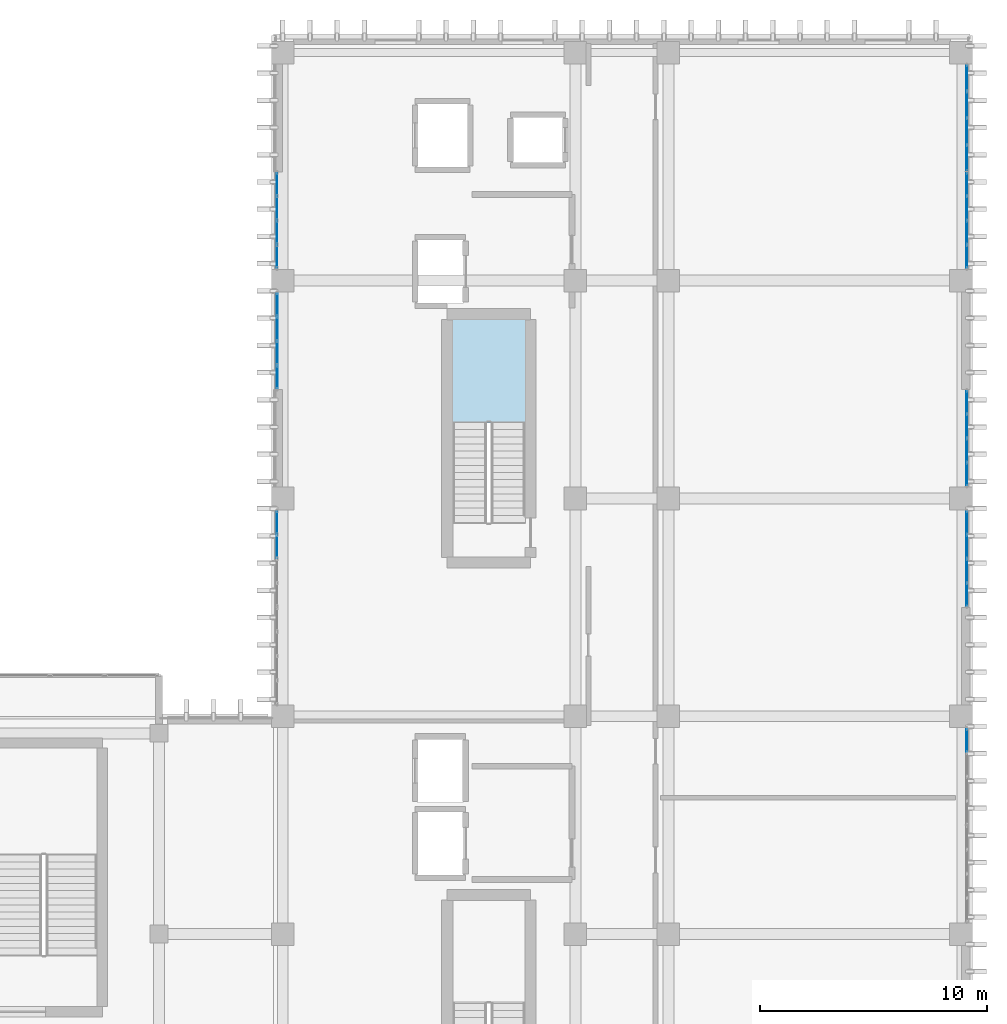
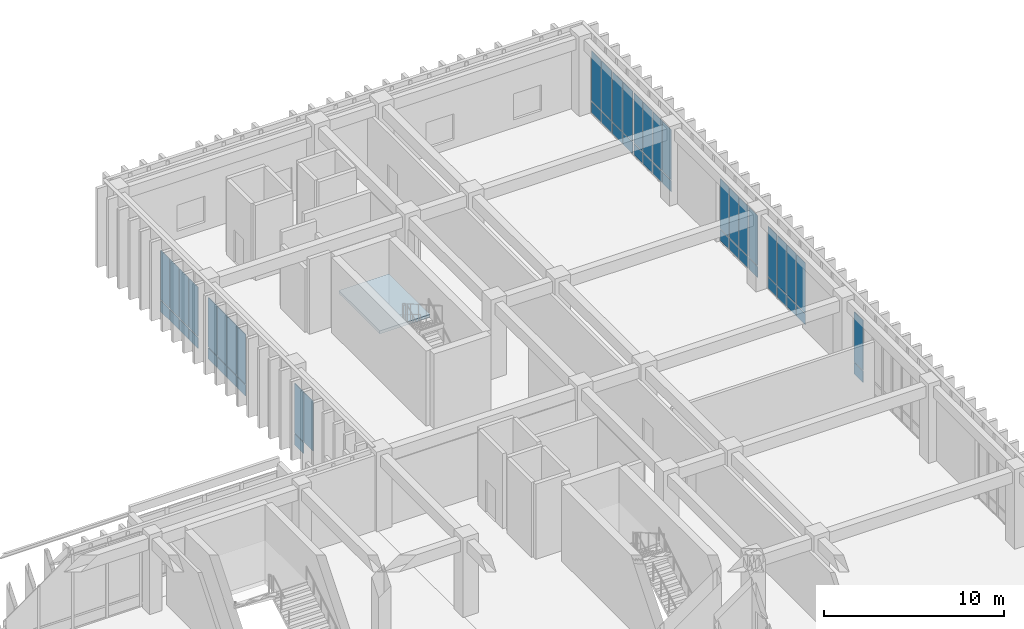
# One storey, part 100 of 134: 53 plates, 1 slab, 9 elements without a shape of their own.
"""IFC4 building model written with IfcOpenShell, lengths in metres."""

from ifc_helpers import new_model, si_unit, direction, frame, origin, origin_2d, place, context, subcontext, project, spatial, polyline, rectangle, outline, extrude, material, layer, layer_set, type_object, element, aggregate, save


model = new_model("IFC4")

# Units and contexts
model_context = context("Model", 3, precision=1e-05, world=origin(), true_north=direction((0.0, 1.0)))
body_context = subcontext(model_context, "Body", "Model", "MODEL_VIEW")
ifc_project = project(units=[si_unit("LENGTHUNIT", "METRE"), si_unit("AREAUNIT", "SQUARE_METRE"), si_unit("VOLUMEUNIT", "CUBIC_METRE"), si_unit("PLANEANGLEUNIT", "RADIAN"), si_unit("MASSUNIT", "GRAM", prefix="KILO")], contexts=[model_context])

# Site, building, storey
site_placement = place(None, origin())
site = spatial("IfcSite", under=ifc_project, at=site_placement, CompositionType="ELEMENT")
building_placement = place(site_placement, origin())
building = spatial("IfcBuilding", under=site, at=building_placement, Name="Nakhvara Creek Congress Hotel", CompositionType="ELEMENT")
storey_placement = place(building_placement, frame((0.0, 0.0, 6.0)))
storey = spatial("IfcBuildingStorey", under=building, at=storey_placement, Name="L01", CompositionType="ELEMENT", Elevation=6.0)

# Curtain wall, plates
ifc_material_1 = material(Name="Bronze-anodised aluminium AW-6063-T6 and double-silver low-E glass", Category="aluminium")
ifc_layer_1 = layer(ifc_material_1, 0.199951171875)
ifc_layer_set_1 = layer_set([ifc_layer_1], Name="Bronze-anodised aluminium AW-6063-T6 and double-silver low-E glass")
curtain_wall_type = type_object("IfcCurtainWallType", Name="CW-HTL-UNIT", PredefinedType="USERDEFINED", material=ifc_layer_set_1)
curtain_wall_1_placement = place(storey_placement, origin())
curtain_wall_1 = element("IfcCurtainWall", 1, at=curtain_wall_1_placement, inside=storey, type_object=curtain_wall_type, Name="Curtain Wall CW119", ObjectType="UNITISED", PredefinedType="USERDEFINED")
ifc_material_2 = material(Name="Double-silver solar-control low-E insulated glass", Category="glass")
plate_type_1 = type_object("IfcPlateType", Name="PNL-GLZ-120X250", PredefinedType="CURTAIN_PANEL", material=ifc_material_2)
plate_1_placement = place(storey_placement, frame((179.60009765625, 94.93310546875, 0.06494140625), z_axis=(0.0, 0.0, 1.0), x_axis=(0.0, -1.0, 0.0)))
plate_1 = element("IfcPlate", 2, at=plate_1_placement, type_object=plate_type_1, Name="CW119 panel 1.1", PredefinedType="CURTAIN_PANEL", context=body_context, shape_type="SweptSolid", body=[
    extrude(rectangle(XDim=0.9736328125, YDim=0.028076171875, at=origin_2d()), origin(), (0.0, 0.0, 1.0), 0.75244140625),
])
plate_2_placement = place(storey_placement, frame((179.60009765625, 94.93310546875, 0.882568359375), z_axis=(0.0, 0.0, 1.0), x_axis=(0.0, -1.0, 0.0)))
plate_2 = element("IfcPlate", 3, at=plate_2_placement, type_object=plate_type_1, Name="CW119 panel 1.2", PredefinedType="CURTAIN_PANEL", context=body_context, shape_type="SweptSolid", body=[
    extrude(rectangle(XDim=0.9736328125, YDim=0.028076171875, at=origin_2d()), origin(), (0.0, 0.0, 1.0), 3.39453125),
])
aggregate(curtain_wall_1, [plate_1, plate_2])

curtain_wall_2_placement = place(storey_placement, origin())
curtain_wall_2 = element("IfcCurtainWall", 4, at=curtain_wall_2_placement, inside=storey, type_object=curtain_wall_type, Name="Curtain Wall CW121", ObjectType="UNITISED", PredefinedType="USERDEFINED")
plate_3_placement = place(storey_placement, frame((179.60009765625, 104.533203125, 0.06494140625), z_axis=(0.0, 0.0, 1.0), x_axis=(0.0, -1.0, 0.0)))
plate_3 = element("IfcPlate", 5, at=plate_3_placement, type_object=plate_type_1, Name="CW121 panel 1.1", PredefinedType="CURTAIN_PANEL", context=body_context, shape_type="SweptSolid", body=[
    extrude(rectangle(XDim=0.9736328125, YDim=0.028076171875, at=origin_2d()), origin(), (0.0, 0.0, 1.0), 0.75244140625),
])
plate_4_placement = place(storey_placement, frame((179.60009765625, 104.533203125, 0.882568359375), z_axis=(0.0, 0.0, 1.0), x_axis=(0.0, -1.0, 0.0)))
plate_4 = element("IfcPlate", 6, at=plate_4_placement, type_object=plate_type_1, Name="CW121 panel 1.2", PredefinedType="CURTAIN_PANEL", context=body_context, shape_type="SweptSolid", body=[
    extrude(rectangle(XDim=0.9736328125, YDim=0.028076171875, at=origin_2d()), origin(), (0.0, 0.0, 1.0), 3.39453125),
])
plate_5_placement = place(storey_placement, frame((179.60009765625, 103.47802734375, 0.06494140625), z_axis=(0.0, 0.0, 1.0), x_axis=(0.0, -1.0, 0.0)))
plate_5 = element("IfcPlate", 7, at=plate_5_placement, type_object=plate_type_1, Name="CW121 panel 2.1", PredefinedType="CURTAIN_PANEL", context=body_context, shape_type="SweptSolid", body=[
    extrude(rectangle(XDim=1.00634765625, YDim=0.028076171875, at=origin_2d()), origin(), (0.0, 0.0, 1.0), 0.75244140625),
])
plate_6_placement = place(storey_placement, frame((179.60009765625, 103.47802734375, 0.882568359375), z_axis=(0.0, 0.0, 1.0), x_axis=(0.0, -1.0, 0.0)))
plate_6 = element("IfcPlate", 8, at=plate_6_placement, type_object=plate_type_1, Name="CW121 panel 2.2", PredefinedType="CURTAIN_PANEL", context=body_context, shape_type="SweptSolid", body=[
    extrude(rectangle(XDim=1.00634765625, YDim=0.028076171875, at=origin_2d()), origin(), (0.0, 0.0, 1.0), 3.39453125),
])
plate_7_placement = place(storey_placement, frame((179.60009765625, 102.406982421875, 0.06494140625), z_axis=(0.0, 0.0, 1.0), x_axis=(0.0, -1.0, 0.0)))
plate_7 = element("IfcPlate", 9, at=plate_7_placement, type_object=plate_type_1, Name="CW121 panel 3.1", PredefinedType="CURTAIN_PANEL", context=body_context, shape_type="SweptSolid", body=[
    extrude(rectangle(XDim=1.00634765625, YDim=0.028076171875, at=origin_2d()), origin(), (0.0, 0.0, 1.0), 0.75244140625),
])
plate_8_placement = place(storey_placement, frame((179.60009765625, 102.406982421875, 0.882568359375), z_axis=(0.0, 0.0, 1.0), x_axis=(0.0, -1.0, 0.0)))
plate_8 = element("IfcPlate", 10, at=plate_8_placement, type_object=plate_type_1, Name="CW121 panel 3.2", PredefinedType="CURTAIN_PANEL", context=body_context, shape_type="SweptSolid", body=[
    extrude(rectangle(XDim=1.00634765625, YDim=0.028076171875, at=origin_2d()), origin(), (0.0, 0.0, 1.0), 3.39453125),
])
plate_9_placement = place(storey_placement, frame((179.60009765625, 101.351806640625, 0.06494140625), z_axis=(0.0, 0.0, 1.0), x_axis=(0.0, -1.0, 0.0)))
plate_9 = element("IfcPlate", 11, at=plate_9_placement, type_object=plate_type_1, Name="CW121 panel 4.1", PredefinedType="CURTAIN_PANEL", context=body_context, shape_type="SweptSolid", body=[
    extrude(rectangle(XDim=0.9736328125, YDim=0.028076171875, at=origin_2d()), origin(), (0.0, 0.0, 1.0), 0.75244140625),
])
plate_10_placement = place(storey_placement, frame((179.60009765625, 101.351806640625, 0.882568359375), z_axis=(0.0, 0.0, 1.0), x_axis=(0.0, -1.0, 0.0)))
plate_10 = element("IfcPlate", 12, at=plate_10_placement, type_object=plate_type_1, Name="CW121 panel 4.2", PredefinedType="CURTAIN_PANEL", context=body_context, shape_type="SweptSolid", body=[
    extrude(rectangle(XDim=0.9736328125, YDim=0.028076171875, at=origin_2d()), origin(), (0.0, 0.0, 1.0), 3.39453125),
])
aggregate(curtain_wall_2, [plate_3, plate_4, plate_5, plate_6, plate_7, plate_8, plate_9, plate_10])

curtain_wall_3_placement = place(storey_placement, origin())
curtain_wall_3 = element("IfcCurtainWall", 13, at=curtain_wall_3_placement, inside=storey, type_object=curtain_wall_type, Name="Curtain Wall CW122", ObjectType="UNITISED", PredefinedType="USERDEFINED")
plate_11_placement = place(storey_placement, frame((149.199951171875, 103.47802734375, 0.88232421875), z_axis=(0.0, 0.0, 1.0), x_axis=(0.0, 1.0, 0.0)))
plate_11 = element("IfcPlate", 14, at=plate_11_placement, type_object=plate_type_1, Name="CW122 panel 3.2", PredefinedType="CURTAIN_PANEL", context=body_context, shape_type="SweptSolid", body=[
    extrude(rectangle(XDim=1.00634765625, YDim=0.028076171875, at=origin_2d()), origin(), (0.0, 0.0, 1.0), 3.364501953125),
])
plate_12_placement = place(storey_placement, frame((149.199951171875, 104.533203125, 0.06494140625), z_axis=(0.0, 0.0, 1.0), x_axis=(0.0, 1.0, 0.0)))
plate_12 = element("IfcPlate", 15, at=plate_12_placement, type_object=plate_type_1, Name="CW122 panel 4.1", PredefinedType="CURTAIN_PANEL", context=body_context, shape_type="SweptSolid", body=[
    extrude(rectangle(XDim=0.9736328125, YDim=0.028076171875, at=origin_2d()), origin(), (0.0, 0.0, 1.0), 0.75244140625),
])
plate_13_placement = place(storey_placement, frame((149.199951171875, 104.533203125, 0.88232421875), z_axis=(0.0, 0.0, 1.0), x_axis=(0.0, 1.0, 0.0)))
plate_13 = element("IfcPlate", 16, at=plate_13_placement, type_object=plate_type_1, Name="CW122 panel 4.2", PredefinedType="CURTAIN_PANEL", context=body_context, shape_type="SweptSolid", body=[
    extrude(rectangle(XDim=0.9736328125, YDim=0.028076171875, at=origin_2d()), origin(), (0.0, 0.0, 1.0), 3.364501953125),
])
aggregate(curtain_wall_3, [plate_11, plate_12, plate_13])

curtain_wall_4_placement = place(storey_placement, origin())
curtain_wall_4 = element("IfcCurtainWall", 17, at=curtain_wall_4_placement, inside=storey, type_object=curtain_wall_type, Name="Curtain Wall CW123", ObjectType="UNITISED", PredefinedType="USERDEFINED")
plate_14_placement = place(storey_placement, frame((179.60009765625, 109.84814453125, 0.06494140625), z_axis=(0.0, 0.0, 1.0), x_axis=(0.0, -1.0, 0.0)))
plate_14 = element("IfcPlate", 18, at=plate_14_placement, type_object=plate_type_1, Name="CW123 panel 1.1", PredefinedType="CURTAIN_PANEL", context=body_context, shape_type="SweptSolid", body=[
    extrude(rectangle(XDim=0.9736328125, YDim=0.028076171875, at=origin_2d()), origin(), (0.0, 0.0, 1.0), 0.75244140625),
])
plate_15_placement = place(storey_placement, frame((179.60009765625, 109.84814453125, 0.882568359375), z_axis=(0.0, 0.0, 1.0), x_axis=(0.0, -1.0, 0.0)))
plate_15 = element("IfcPlate", 19, at=plate_15_placement, type_object=plate_type_1, Name="CW123 panel 1.2", PredefinedType="CURTAIN_PANEL", context=body_context, shape_type="SweptSolid", body=[
    extrude(rectangle(XDim=0.9736328125, YDim=0.028076171875, at=origin_2d()), origin(), (0.0, 0.0, 1.0), 3.39453125),
])
plate_16_placement = place(storey_placement, frame((179.60009765625, 108.793212890625, 0.06494140625), z_axis=(0.0, 0.0, 1.0), x_axis=(0.0, -1.0, 0.0)))
plate_16 = element("IfcPlate", 20, at=plate_16_placement, type_object=plate_type_1, Name="CW123 panel 2.1", PredefinedType="CURTAIN_PANEL", context=body_context, shape_type="SweptSolid", body=[
    extrude(rectangle(XDim=1.00634765625, YDim=0.028076171875, at=origin_2d()), origin(), (0.0, 0.0, 1.0), 0.75244140625),
])
plate_17_placement = place(storey_placement, frame((179.60009765625, 108.793212890625, 0.882568359375), z_axis=(0.0, 0.0, 1.0), x_axis=(0.0, -1.0, 0.0)))
plate_17 = element("IfcPlate", 21, at=plate_17_placement, type_object=plate_type_1, Name="CW123 panel 2.2", PredefinedType="CURTAIN_PANEL", context=body_context, shape_type="SweptSolid", body=[
    extrude(rectangle(XDim=1.00634765625, YDim=0.028076171875, at=origin_2d()), origin(), (0.0, 0.0, 1.0), 3.39453125),
])
plate_18_placement = place(storey_placement, frame((179.60009765625, 107.721923828125, 0.06494140625), z_axis=(0.0, 0.0, 1.0), x_axis=(0.0, -1.0, 0.0)))
plate_18 = element("IfcPlate", 22, at=plate_18_placement, type_object=plate_type_1, Name="CW123 panel 3.1", PredefinedType="CURTAIN_PANEL", context=body_context, shape_type="SweptSolid", body=[
    extrude(rectangle(XDim=1.00634765625, YDim=0.028076171875, at=origin_2d()), origin(), (0.0, 0.0, 1.0), 0.75244140625),
])
plate_19_placement = place(storey_placement, frame((179.60009765625, 107.721923828125, 0.882568359375), z_axis=(0.0, 0.0, 1.0), x_axis=(0.0, -1.0, 0.0)))
plate_19 = element("IfcPlate", 23, at=plate_19_placement, type_object=plate_type_1, Name="CW123 panel 3.2", PredefinedType="CURTAIN_PANEL", context=body_context, shape_type="SweptSolid", body=[
    extrude(rectangle(XDim=1.00634765625, YDim=0.028076171875, at=origin_2d()), origin(), (0.0, 0.0, 1.0), 3.39453125),
])
plate_20_placement = place(storey_placement, frame((179.60009765625, 106.6669921875, 0.06494140625), z_axis=(0.0, 0.0, 1.0), x_axis=(0.0, -1.0, 0.0)))
plate_20 = element("IfcPlate", 24, at=plate_20_placement, type_object=plate_type_1, Name="CW123 panel 4.1", PredefinedType="CURTAIN_PANEL", context=body_context, shape_type="SweptSolid", body=[
    extrude(rectangle(XDim=0.9736328125, YDim=0.028076171875, at=origin_2d()), origin(), (0.0, 0.0, 1.0), 0.75244140625),
])
plate_21_placement = place(storey_placement, frame((179.60009765625, 106.6669921875, 0.882568359375), z_axis=(0.0, 0.0, 1.0), x_axis=(0.0, -1.0, 0.0)))
plate_21 = element("IfcPlate", 25, at=plate_21_placement, type_object=plate_type_1, Name="CW123 panel 4.2", PredefinedType="CURTAIN_PANEL", context=body_context, shape_type="SweptSolid", body=[
    extrude(rectangle(XDim=0.9736328125, YDim=0.028076171875, at=origin_2d()), origin(), (0.0, 0.0, 1.0), 3.39453125),
])
aggregate(curtain_wall_4, [plate_14, plate_15, plate_16, plate_17, plate_18, plate_19, plate_20, plate_21])

curtain_wall_5_placement = place(storey_placement, origin())
curtain_wall_5 = element("IfcCurtainWall", 26, at=curtain_wall_5_placement, inside=storey, type_object=curtain_wall_type, Name="Curtain Wall CW125", ObjectType="UNITISED", PredefinedType="USERDEFINED")
plate_22_placement = place(storey_placement, frame((179.60009765625, 119.4482421875, 0.06494140625), z_axis=(0.0, 0.0, 1.0), x_axis=(0.0, -1.0, 0.0)))
plate_22 = element("IfcPlate", 27, at=plate_22_placement, type_object=plate_type_1, Name="CW125 panel 1.1", PredefinedType="CURTAIN_PANEL", context=body_context, shape_type="SweptSolid", body=[
    extrude(rectangle(XDim=0.9736328125, YDim=0.028076171875, at=origin_2d()), origin(), (0.0, 0.0, 1.0), 0.75244140625),
])
plate_23_placement = place(storey_placement, frame((179.60009765625, 119.4482421875, 0.882568359375), z_axis=(0.0, 0.0, 1.0), x_axis=(0.0, -1.0, 0.0)))
plate_23 = element("IfcPlate", 28, at=plate_23_placement, type_object=plate_type_1, Name="CW125 panel 1.2", PredefinedType="CURTAIN_PANEL", context=body_context, shape_type="SweptSolid", body=[
    extrude(rectangle(XDim=0.9736328125, YDim=0.028076171875, at=origin_2d()), origin(), (0.0, 0.0, 1.0), 3.39453125),
])
plate_24_placement = place(storey_placement, frame((179.60009765625, 118.39306640625, 0.06494140625), z_axis=(0.0, 0.0, 1.0), x_axis=(0.0, -1.0, 0.0)))
plate_24 = element("IfcPlate", 29, at=plate_24_placement, type_object=plate_type_1, Name="CW125 panel 2.1", PredefinedType="CURTAIN_PANEL", context=body_context, shape_type="SweptSolid", body=[
    extrude(rectangle(XDim=1.00634765625, YDim=0.028076171875, at=origin_2d()), origin(), (0.0, 0.0, 1.0), 0.75244140625),
])
plate_25_placement = place(storey_placement, frame((179.60009765625, 118.39306640625, 0.882568359375), z_axis=(0.0, 0.0, 1.0), x_axis=(0.0, -1.0, 0.0)))
plate_25 = element("IfcPlate", 30, at=plate_25_placement, type_object=plate_type_1, Name="CW125 panel 2.2", PredefinedType="CURTAIN_PANEL", context=body_context, shape_type="SweptSolid", body=[
    extrude(rectangle(XDim=1.00634765625, YDim=0.028076171875, at=origin_2d()), origin(), (0.0, 0.0, 1.0), 3.39453125),
])
plate_26_placement = place(storey_placement, frame((179.60009765625, 117.32177734375, 0.06494140625), z_axis=(0.0, 0.0, 1.0), x_axis=(0.0, -1.0, 0.0)))
plate_26 = element("IfcPlate", 31, at=plate_26_placement, type_object=plate_type_1, Name="CW125 panel 3.1", PredefinedType="CURTAIN_PANEL", context=body_context, shape_type="SweptSolid", body=[
    extrude(rectangle(XDim=1.00634765625, YDim=0.028076171875, at=origin_2d()), origin(), (0.0, 0.0, 1.0), 0.75244140625),
])
plate_27_placement = place(storey_placement, frame((179.60009765625, 117.32177734375, 0.882568359375), z_axis=(0.0, 0.0, 1.0), x_axis=(0.0, -1.0, 0.0)))
plate_27 = element("IfcPlate", 32, at=plate_27_placement, type_object=plate_type_1, Name="CW125 panel 3.2", PredefinedType="CURTAIN_PANEL", context=body_context, shape_type="SweptSolid", body=[
    extrude(rectangle(XDim=1.00634765625, YDim=0.028076171875, at=origin_2d()), origin(), (0.0, 0.0, 1.0), 3.39453125),
])
plate_28_placement = place(storey_placement, frame((179.60009765625, 116.266845703125, 0.06494140625), z_axis=(0.0, 0.0, 1.0), x_axis=(0.0, -1.0, 0.0)))
plate_28 = element("IfcPlate", 33, at=plate_28_placement, type_object=plate_type_1, Name="CW125 panel 4.1", PredefinedType="CURTAIN_PANEL", context=body_context, shape_type="SweptSolid", body=[
    extrude(rectangle(XDim=0.9736328125, YDim=0.028076171875, at=origin_2d()), origin(), (0.0, 0.0, 1.0), 0.75244140625),
])
plate_29_placement = place(storey_placement, frame((179.60009765625, 116.266845703125, 0.882568359375), z_axis=(0.0, 0.0, 1.0), x_axis=(0.0, -1.0, 0.0)))
plate_29 = element("IfcPlate", 34, at=plate_29_placement, type_object=plate_type_1, Name="CW125 panel 4.2", PredefinedType="CURTAIN_PANEL", context=body_context, shape_type="SweptSolid", body=[
    extrude(rectangle(XDim=0.9736328125, YDim=0.028076171875, at=origin_2d()), origin(), (0.0, 0.0, 1.0), 3.39453125),
])
aggregate(curtain_wall_5, [plate_22, plate_23, plate_24, plate_25, plate_26, plate_27, plate_28, plate_29])

curtain_wall_6_placement = place(storey_placement, origin())
curtain_wall_6 = element("IfcCurtainWall", 35, at=curtain_wall_6_placement, inside=storey, type_object=curtain_wall_type, Name="Curtain Wall CW126", ObjectType="UNITISED", PredefinedType="USERDEFINED")
plate_30_placement = place(storey_placement, frame((149.199951171875, 116.266845703125, 0.06494140625), z_axis=(0.0, 0.0, 1.0), x_axis=(0.0, 1.0, 0.0)))
plate_30 = element("IfcPlate", 36, at=plate_30_placement, type_object=plate_type_1, Name="CW126 panel 1.1", PredefinedType="CURTAIN_PANEL", context=body_context, shape_type="SweptSolid", body=[
    extrude(rectangle(XDim=0.9736328125, YDim=0.028076171875, at=origin_2d()), origin(), (0.0, 0.0, 1.0), 0.75244140625),
])
plate_31_placement = place(storey_placement, frame((149.199951171875, 116.266845703125, 0.88232421875), z_axis=(0.0, 0.0, 1.0), x_axis=(0.0, 1.0, 0.0)))
plate_31 = element("IfcPlate", 37, at=plate_31_placement, type_object=plate_type_1, Name="CW126 panel 1.2", PredefinedType="CURTAIN_PANEL", context=body_context, shape_type="SweptSolid", body=[
    extrude(rectangle(XDim=0.9736328125, YDim=0.028076171875, at=origin_2d()), origin(), (0.0, 0.0, 1.0), 3.364501953125),
])
plate_32_placement = place(storey_placement, frame((149.199951171875, 117.32177734375, 0.06494140625), z_axis=(0.0, 0.0, 1.0), x_axis=(0.0, 1.0, 0.0)))
plate_32 = element("IfcPlate", 38, at=plate_32_placement, type_object=plate_type_1, Name="CW126 panel 2.1", PredefinedType="CURTAIN_PANEL", context=body_context, shape_type="SweptSolid", body=[
    extrude(rectangle(XDim=1.00634765625, YDim=0.028076171875, at=origin_2d()), origin(), (0.0, 0.0, 1.0), 0.75244140625),
])
plate_33_placement = place(storey_placement, frame((149.199951171875, 117.32177734375, 0.88232421875), z_axis=(0.0, 0.0, 1.0), x_axis=(0.0, 1.0, 0.0)))
plate_33 = element("IfcPlate", 39, at=plate_33_placement, type_object=plate_type_1, Name="CW126 panel 2.2", PredefinedType="CURTAIN_PANEL", context=body_context, shape_type="SweptSolid", body=[
    extrude(rectangle(XDim=1.00634765625, YDim=0.028076171875, at=origin_2d()), origin(), (0.0, 0.0, 1.0), 3.364501953125),
])
plate_34_placement = place(storey_placement, frame((149.199951171875, 118.39306640625, 0.06494140625), z_axis=(0.0, 0.0, 1.0), x_axis=(0.0, 1.0, 0.0)))
plate_34 = element("IfcPlate", 40, at=plate_34_placement, type_object=plate_type_1, Name="CW126 panel 3.1", PredefinedType="CURTAIN_PANEL", context=body_context, shape_type="SweptSolid", body=[
    extrude(rectangle(XDim=1.00634765625, YDim=0.028076171875, at=origin_2d()), origin(), (0.0, 0.0, 1.0), 0.75244140625),
])
plate_35_placement = place(storey_placement, frame((149.199951171875, 118.39306640625, 0.88232421875), z_axis=(0.0, 0.0, 1.0), x_axis=(0.0, 1.0, 0.0)))
plate_35 = element("IfcPlate", 41, at=plate_35_placement, type_object=plate_type_1, Name="CW126 panel 3.2", PredefinedType="CURTAIN_PANEL", context=body_context, shape_type="SweptSolid", body=[
    extrude(rectangle(XDim=1.00634765625, YDim=0.028076171875, at=origin_2d()), origin(), (0.0, 0.0, 1.0), 3.364501953125),
])
plate_36_placement = place(storey_placement, frame((149.199951171875, 119.4482421875, 0.06494140625), z_axis=(0.0, 0.0, 1.0), x_axis=(0.0, 1.0, 0.0)))
plate_36 = element("IfcPlate", 42, at=plate_36_placement, type_object=plate_type_1, Name="CW126 panel 4.1", PredefinedType="CURTAIN_PANEL", context=body_context, shape_type="SweptSolid", body=[
    extrude(rectangle(XDim=0.9736328125, YDim=0.028076171875, at=origin_2d()), origin(), (0.0, 0.0, 1.0), 0.75244140625),
])
plate_37_placement = place(storey_placement, frame((149.199951171875, 119.4482421875, 0.88232421875), z_axis=(0.0, 0.0, 1.0), x_axis=(0.0, 1.0, 0.0)))
plate_37 = element("IfcPlate", 43, at=plate_37_placement, type_object=plate_type_1, Name="CW126 panel 4.2", PredefinedType="CURTAIN_PANEL", context=body_context, shape_type="SweptSolid", body=[
    extrude(rectangle(XDim=0.9736328125, YDim=0.028076171875, at=origin_2d()), origin(), (0.0, 0.0, 1.0), 3.364501953125),
])
aggregate(curtain_wall_6, [plate_30, plate_31, plate_32, plate_33, plate_34, plate_35, plate_36, plate_37])

curtain_wall_7_placement = place(storey_placement, origin())
curtain_wall_7 = element("IfcCurtainWall", 44, at=curtain_wall_7_placement, inside=storey, type_object=curtain_wall_type, Name="Curtain Wall CW127", ObjectType="UNITISED", PredefinedType="USERDEFINED")
plate_38_placement = place(storey_placement, frame((179.60009765625, 124.126953125, 0.06494140625), z_axis=(0.0, 0.0, 1.0), x_axis=(0.0, -1.0, 0.0)))
plate_38 = element("IfcPlate", 45, at=plate_38_placement, type_object=plate_type_1, Name="CW127 panel 1.1", PredefinedType="CURTAIN_PANEL", context=body_context, shape_type="SweptSolid", body=[
    extrude(rectangle(XDim=1.086181640625, YDim=0.028076171875, at=origin_2d()), origin(), (0.0, 0.0, 1.0), 0.75244140625),
])
plate_39_placement = place(storey_placement, frame((179.60009765625, 124.126953125, 0.882568359375), z_axis=(0.0, 0.0, 1.0), x_axis=(0.0, -1.0, 0.0)))
plate_39 = element("IfcPlate", 46, at=plate_39_placement, type_object=plate_type_1, Name="CW127 panel 1.2", PredefinedType="CURTAIN_PANEL", context=body_context, shape_type="SweptSolid", body=[
    extrude(rectangle(XDim=1.086181640625, YDim=0.028076171875, at=origin_2d()), origin(), (0.0, 0.0, 1.0), 3.39453125),
])
plate_40_placement = place(storey_placement, frame((179.60009765625, 122.95947265625, 0.06494140625), z_axis=(0.0, 0.0, 1.0), x_axis=(0.0, -1.0, 0.0)))
plate_40 = element("IfcPlate", 47, at=plate_40_placement, type_object=plate_type_1, Name="CW127 panel 2.1", PredefinedType="CURTAIN_PANEL", context=body_context, shape_type="SweptSolid", body=[
    extrude(rectangle(XDim=1.11865234375, YDim=0.028076171875, at=origin_2d()), origin(), (0.0, 0.0, 1.0), 0.75244140625),
])
plate_41_placement = place(storey_placement, frame((179.60009765625, 122.95947265625, 0.882568359375), z_axis=(0.0, 0.0, 1.0), x_axis=(0.0, -1.0, 0.0)))
plate_41 = element("IfcPlate", 48, at=plate_41_placement, type_object=plate_type_1, Name="CW127 panel 2.2", PredefinedType="CURTAIN_PANEL", context=body_context, shape_type="SweptSolid", body=[
    extrude(rectangle(XDim=1.11865234375, YDim=0.028076171875, at=origin_2d()), origin(), (0.0, 0.0, 1.0), 3.39453125),
])
plate_42_placement = place(storey_placement, frame((179.60009765625, 121.775634765625, 0.06494140625), z_axis=(0.0, 0.0, 1.0), x_axis=(0.0, -1.0, 0.0)))
plate_42 = element("IfcPlate", 49, at=plate_42_placement, type_object=plate_type_1, Name="CW127 panel 3.1", PredefinedType="CURTAIN_PANEL", context=body_context, shape_type="SweptSolid", body=[
    extrude(rectangle(XDim=1.11865234375, YDim=0.028076171875, at=origin_2d()), origin(), (0.0, 0.0, 1.0), 0.75244140625),
])
plate_43_placement = place(storey_placement, frame((179.60009765625, 121.775634765625, 0.882568359375), z_axis=(0.0, 0.0, 1.0), x_axis=(0.0, -1.0, 0.0)))
plate_43 = element("IfcPlate", 50, at=plate_43_placement, type_object=plate_type_1, Name="CW127 panel 3.2", PredefinedType="CURTAIN_PANEL", context=body_context, shape_type="SweptSolid", body=[
    extrude(rectangle(XDim=1.11865234375, YDim=0.028076171875, at=origin_2d()), origin(), (0.0, 0.0, 1.0), 3.39453125),
])
plate_44_placement = place(storey_placement, frame((179.60009765625, 120.608154296875, 0.06494140625), z_axis=(0.0, 0.0, 1.0), x_axis=(0.0, -1.0, 0.0)))
plate_44 = element("IfcPlate", 51, at=plate_44_placement, type_object=plate_type_1, Name="CW127 panel 4.1", PredefinedType="CURTAIN_PANEL", context=body_context, shape_type="SweptSolid", body=[
    extrude(rectangle(XDim=1.086181640625, YDim=0.028076171875, at=origin_2d()), origin(), (0.0, 0.0, 1.0), 0.75244140625),
])
plate_45_placement = place(storey_placement, frame((179.60009765625, 120.608154296875, 0.882568359375), z_axis=(0.0, 0.0, 1.0), x_axis=(0.0, -1.0, 0.0)))
plate_45 = element("IfcPlate", 52, at=plate_45_placement, type_object=plate_type_1, Name="CW127 panel 4.2", PredefinedType="CURTAIN_PANEL", context=body_context, shape_type="SweptSolid", body=[
    extrude(rectangle(XDim=1.086181640625, YDim=0.028076171875, at=origin_2d()), origin(), (0.0, 0.0, 1.0), 3.39453125),
])
aggregate(curtain_wall_7, [plate_38, plate_39, plate_40, plate_41, plate_42, plate_43, plate_44, plate_45])

curtain_wall_8_placement = place(storey_placement, origin())
curtain_wall_8 = element("IfcCurtainWall", 53, at=curtain_wall_8_placement, inside=storey, type_object=curtain_wall_type, Name="Curtain Wall CW124", ObjectType="UNITISED", PredefinedType="USERDEFINED")
ifc_material_3 = material(Name="Back-insulated bronze spandrel glass panel", Category="glass")
plate_type_2 = type_object("IfcPlateType", Name="PNL-SPN-120X080", PredefinedType="CURTAIN_PANEL", material=ifc_material_3)
plate_46_placement = place(storey_placement, frame((149.199951171875, 110.951904296875, 0.06494140625), z_axis=(0.0, 0.0, 1.0), x_axis=(0.0, 1.0, 0.0)))
plate_46 = element("IfcPlate", 54, at=plate_46_placement, type_object=plate_type_2, Name="CW124 panel 1.1", PredefinedType="CURTAIN_PANEL", context=body_context, shape_type="SweptSolid", body=[
    extrude(rectangle(XDim=0.9736328125, YDim=0.0419921875, at=origin_2d()), origin(), (0.0, 0.0, 1.0), 0.75244140625),
])
plate_47_placement = place(storey_placement, frame((149.199951171875, 110.951904296875, 0.88232421875), z_axis=(0.0, 0.0, 1.0), x_axis=(0.0, 1.0, 0.0)))
plate_47 = element("IfcPlate", 55, at=plate_47_placement, type_object=plate_type_2, Name="CW124 panel 1.2", PredefinedType="CURTAIN_PANEL", context=body_context, shape_type="SweptSolid", body=[
    extrude(rectangle(XDim=0.9736328125, YDim=0.0419921875, at=origin_2d()), origin(), (0.0, 0.0, 1.0), 3.364501953125),
])
plate_48_placement = place(storey_placement, frame((149.199951171875, 112.0068359375, 0.06494140625), z_axis=(0.0, 0.0, 1.0), x_axis=(0.0, 1.0, 0.0)))
plate_48 = element("IfcPlate", 56, at=plate_48_placement, type_object=plate_type_2, Name="CW124 panel 2.1", PredefinedType="CURTAIN_PANEL", context=body_context, shape_type="SweptSolid", body=[
    extrude(rectangle(XDim=1.00634765625, YDim=0.0419921875, at=origin_2d()), origin(), (0.0, 0.0, 1.0), 0.75244140625),
])
plate_49_placement = place(storey_placement, frame((149.199951171875, 112.0068359375, 0.88232421875), z_axis=(0.0, 0.0, 1.0), x_axis=(0.0, 1.0, 0.0)))
plate_49 = element("IfcPlate", 57, at=plate_49_placement, type_object=plate_type_2, Name="CW124 panel 2.2", PredefinedType="CURTAIN_PANEL", context=body_context, shape_type="SweptSolid", body=[
    extrude(rectangle(XDim=1.00634765625, YDim=0.0419921875, at=origin_2d()), origin(), (0.0, 0.0, 1.0), 3.364501953125),
])
plate_50_placement = place(storey_placement, frame((149.199951171875, 113.078125, 0.06494140625), z_axis=(0.0, 0.0, 1.0), x_axis=(0.0, 1.0, 0.0)))
plate_50 = element("IfcPlate", 58, at=plate_50_placement, type_object=plate_type_2, Name="CW124 panel 3.1", PredefinedType="CURTAIN_PANEL", context=body_context, shape_type="SweptSolid", body=[
    extrude(rectangle(XDim=1.00634765625, YDim=0.0419921875, at=origin_2d()), origin(), (0.0, 0.0, 1.0), 0.75244140625),
])
plate_51_placement = place(storey_placement, frame((149.199951171875, 113.078125, 0.88232421875), z_axis=(0.0, 0.0, 1.0), x_axis=(0.0, 1.0, 0.0)))
plate_51 = element("IfcPlate", 59, at=plate_51_placement, type_object=plate_type_2, Name="CW124 panel 3.2", PredefinedType="CURTAIN_PANEL", context=body_context, shape_type="SweptSolid", body=[
    extrude(rectangle(XDim=1.00634765625, YDim=0.0419921875, at=origin_2d()), origin(), (0.0, 0.0, 1.0), 3.364501953125),
])
plate_52_placement = place(storey_placement, frame((149.199951171875, 114.133056640625, 0.06494140625), z_axis=(0.0, 0.0, 1.0), x_axis=(0.0, 1.0, 0.0)))
plate_52 = element("IfcPlate", 60, at=plate_52_placement, type_object=plate_type_2, Name="CW124 panel 4.1", PredefinedType="CURTAIN_PANEL", context=body_context, shape_type="SweptSolid", body=[
    extrude(rectangle(XDim=0.9736328125, YDim=0.0419921875, at=origin_2d()), origin(), (0.0, 0.0, 1.0), 0.75244140625),
])
plate_53_placement = place(storey_placement, frame((149.199951171875, 114.133056640625, 0.88232421875), z_axis=(0.0, 0.0, 1.0), x_axis=(0.0, 1.0, 0.0)))
plate_53 = element("IfcPlate", 61, at=plate_53_placement, type_object=plate_type_2, Name="CW124 panel 4.2", PredefinedType="CURTAIN_PANEL", context=body_context, shape_type="SweptSolid", body=[
    extrude(rectangle(XDim=0.9736328125, YDim=0.0419921875, at=origin_2d()), origin(), (0.0, 0.0, 1.0), 3.364501953125),
])
aggregate(curtain_wall_8, [plate_46, plate_47, plate_48, plate_49, plate_50, plate_51, plate_52, plate_53])

# Stair, slab
ifc_material_4 = material(Name="Concrete C40/50", Category="concrete")
stair_type = type_object("IfcStairType", Name="ST-CORE-160", PredefinedType="HALF_TURN_STAIR", material=ifc_material_4)
stair_placement = place(storey_placement, origin())
stair = element("IfcStair", 62, at=stair_placement, inside=storey, type_object=stair_type, Name="L01 Protected Exit Stair ST02", PredefinedType="HALF_TURN_STAIR")
ifc_layer_2 = layer(ifc_material_4, 0.199951171875)
ifc_layer_set_2 = layer_set([ifc_layer_2], Name="Concrete C40/50")
slab_type = type_object("IfcSlabType", Name="SL-LAND-200", PredefinedType="LANDING", material=ifc_layer_set_2)
slab_placement = place(storey_placement, frame((0.0, 0.0, 2.5)))
slab = element("IfcSlab", 63, at=slab_placement, type_object=slab_type, Name="ST02 landing 1", PredefinedType="LANDING", context=body_context, shape_type="SweptSolid", body=[
    extrude(outline(polyline([(160.14990234375, 108.949951171875), (160.14990234375, 113.5), (156.919921875, 113.5), (156.919921875, 108.949951171875), (160.14990234375, 108.949951171875)])), origin(), (0.0, 0.0, 1.0), 0.199951171875),
])
aggregate(stair, [slab])

save(model, "model.ifc")
